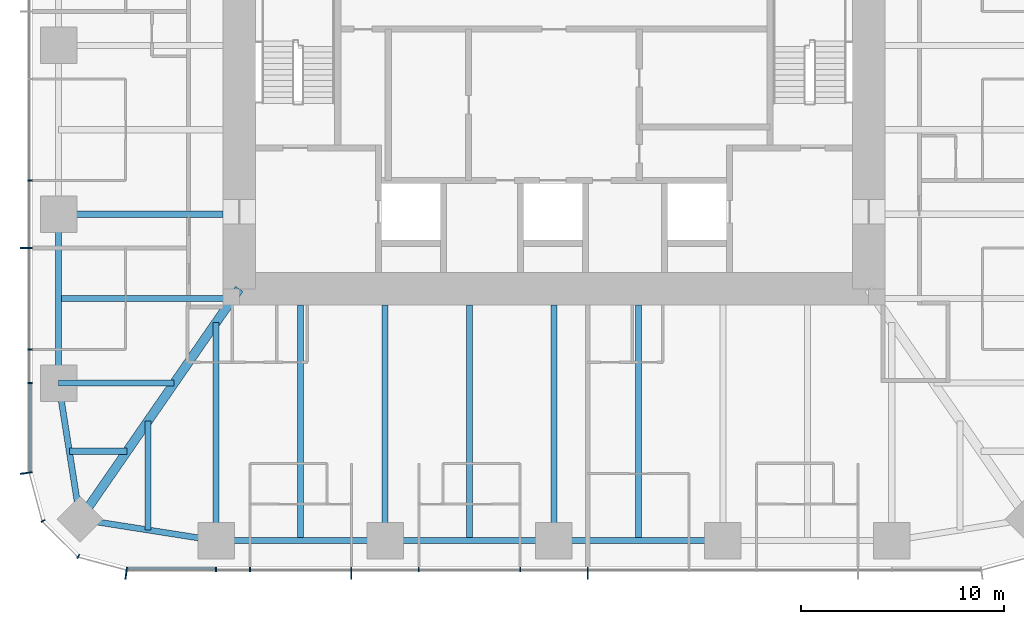
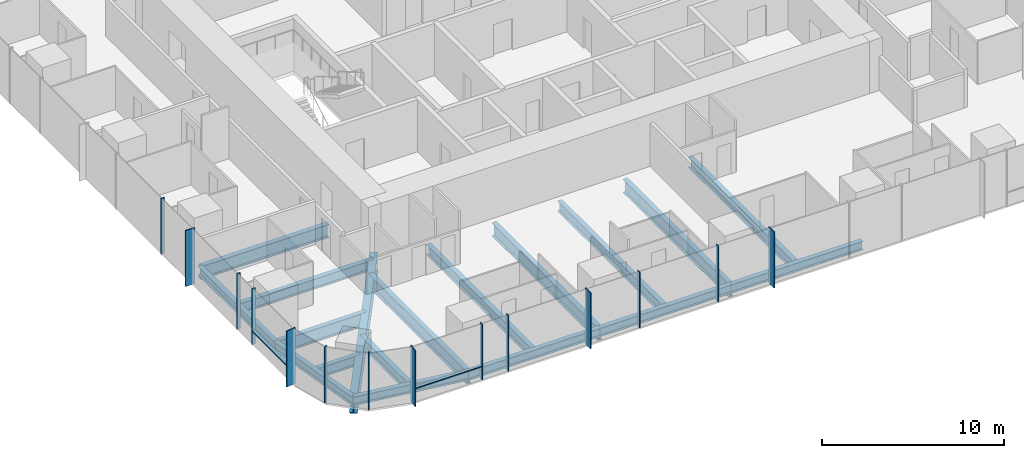
# One storey, part 2 of 13: 18 beams, 16 members, 3 elements without a shape of their own.
"""IFC4 building model written with IfcOpenShell, lengths in metres."""

from ifc_helpers import new_model, si_unit, direction, frame, origin, origin_2d, place, context, subcontext, project, spatial, rectangle, i_section, extrude, material, material_profile, profile_set, type_object, element, aggregate, save


model = new_model("IFC4")

# Units and contexts
model_context = context("Model", 3, precision=1e-05, world=origin(), true_north=direction((0.0, 1.0)))
body_context = subcontext(model_context, "Body", "Model", "MODEL_VIEW")
ifc_project = project(units=[si_unit("LENGTHUNIT", "METRE"), si_unit("AREAUNIT", "SQUARE_METRE"), si_unit("VOLUMEUNIT", "CUBIC_METRE"), si_unit("PLANEANGLEUNIT", "RADIAN"), si_unit("MASSUNIT", "GRAM", prefix="KILO")], contexts=[model_context])

# Site, building, storey
site_placement = place(None, origin())
site = spatial("IfcSite", under=ifc_project, at=site_placement, CompositionType="ELEMENT")
building_placement = place(site_placement, origin())
building = spatial("IfcBuilding", under=site, at=building_placement, Name="Khuree Lantern Residences", CompositionType="ELEMENT")
storey_placement = place(building_placement, frame((0.0, 0.0, 252.0)))
storey = spatial("IfcBuildingStorey", under=building, at=storey_placement, Name="L63", CompositionType="ELEMENT", Elevation=252.0)

# Beams
ifc_material_1 = material(Name="Steel S355", Category="steel")
ifc_material_profile_1 = material_profile(ifc_material_1, i_section(OverallWidth=0.300048828125, OverallDepth=0.68994140625, WebThickness=0.014404296875, FlangeThickness=0.027099609375, FilletRadius=0.027099609375, at=origin_2d()), Name="HE 700 A")
ifc_profile_set_1 = profile_set([ifc_material_profile_1], Name="Steel S355")
beam_type_1 = type_object("IfcBeamType", Name="B-34 SECONDARY BEAM HE 700 A", PredefinedType="BEAM", material=ifc_profile_set_1)
for number, where, z_axis, x_axis, name in (
    (1, (4.159912109375, -24.39990234375, -0.594970703125), (0.0, 1.0, 0.0), (-1.0, 0.0, 0.0), "Secondary beam S3"),
    (2, (-4.159912109375, -24.39990234375, -0.594970703125), (0.0, 1.0, 0.0), (-1.0, 0.0, 0.0), "Secondary beam S4"),
    (3, (-12.47998046875, -24.39990234375, -0.594970703125), (0.0, 1.0, 0.0), (-1.0, 0.0, 0.0), "Secondary beam S5"),
):
    element("IfcBeam", number, at=place(storey_placement, frame(where, z_axis=z_axis, x_axis=x_axis)), inside=storey, type_object=beam_type_1, Name=name, PredefinedType="BEAM", context=body_context, shape_type="SweptSolid", body=[
        extrude(i_section(OverallWidth=0.300048828125, OverallDepth=0.68994140625, WebThickness=0.014404296875, FlangeThickness=0.027099609375, FilletRadius=0.027099609375, at=origin_2d()), origin(), (0.0, 0.0, 1.0), 11.599853515625),
    ])
beam_1_placement = place(storey_placement, frame((-19.992919921875, -23.872802734375, -0.594970703125), z_axis=(0.0, 1.0, 0.0), x_axis=(-1.0, 0.0, 0.0)))
element("IfcBeam", 4, at=beam_1_placement, inside=storey, type_object=beam_type_1, Name="Secondary beam S6", PredefinedType="BEAM", context=body_context, shape_type="SweptSolid", body=[
    extrude(i_section(OverallWidth=0.300048828125, OverallDepth=0.68994140625, WebThickness=0.014404296875, FlangeThickness=0.027099609375, FilletRadius=0.027099609375, at=origin_2d()), origin(), (0.0, 0.0, 1.0), 5.375732421875),
])
beam_2_placement = place(storey_placement, frame((-23.872802734375, -19.992919921875, -0.594970703125), z_axis=(1.0, 0.0, 0.0), x_axis=(0.0, 1.0, 0.0)))
element("IfcBeam", 5, at=beam_2_placement, inside=storey, type_object=beam_type_1, Name="Secondary beam W1", PredefinedType="BEAM", context=body_context, shape_type="SweptSolid", body=[
    extrude(i_section(OverallWidth=0.300048828125, OverallDepth=0.68994140625, WebThickness=0.014404296875, FlangeThickness=0.027099609375, FilletRadius=0.027099609375, at=origin_2d()), origin(), (0.0, 0.0, 1.0), 2.845703125),
])
beam_3_placement = place(storey_placement, frame((-24.39990234375, -12.47998046875, -0.594970703125), z_axis=(1.0, 0.0, 0.0), x_axis=(0.0, 1.0, 0.0)))
element("IfcBeam", 6, at=beam_3_placement, inside=storey, type_object=beam_type_1, Name="Secondary beam W2", PredefinedType="BEAM", context=body_context, shape_type="SweptSolid", body=[
    extrude(i_section(OverallWidth=0.300048828125, OverallDepth=0.68994140625, WebThickness=0.014404296875, FlangeThickness=0.027099609375, FilletRadius=0.027099609375, at=origin_2d()), origin(), (0.0, 0.0, 1.0), 8.56787109375),
])
ifc_material_profile_2 = material_profile(ifc_material_1, i_section(OverallWidth=0.300048828125, OverallDepth=0.590087890625, WebThickness=0.012939453125, FlangeThickness=0.02490234375, FilletRadius=0.027099609375, at=origin_2d()), Name="HE 600 A")
ifc_profile_set_2 = profile_set([ifc_material_profile_2], Name="Steel S355")
beam_type_2 = type_object("IfcBeamType", Name="E-34 SPANDREL BEAM HE 600 A", PredefinedType="SPANDREL", material=ifc_profile_set_2)
for number, where, z_axis, x_axis, name in (
    (7, (8.320068359375, -24.39990234375, -0.544921875), (-1.0, 0.0, 0.0), (0.0, -1.0, 0.0), "Spandrel beam S3"),
    (8, (0.0, -24.39990234375, -0.544921875), (-1.0, 0.0, 0.0), (0.0, -1.0, 0.0), "Spandrel beam S4"),
):
    element("IfcBeam", number, at=place(storey_placement, frame(where, z_axis=z_axis, x_axis=x_axis)), inside=storey, type_object=beam_type_2, Name=name, PredefinedType="SPANDREL", context=body_context, shape_type="SweptSolid", body=[
        extrude(i_section(OverallWidth=0.300048828125, OverallDepth=0.590087890625, WebThickness=0.012939453125, FlangeThickness=0.02490234375, FilletRadius=0.027099609375, at=origin_2d()), origin(), (0.0, 0.0, 1.0), 8.320068359375),
    ])
beam_4_placement = place(storey_placement, frame((-8.320068359375, -24.39990234375, -0.544921875), z_axis=(-1.0, 0.0, 0.0), x_axis=(0.0, -1.0, 0.0)))
element("IfcBeam", 9, at=beam_4_placement, inside=storey, type_object=beam_type_2, Name="Spandrel beam S5", PredefinedType="SPANDREL", context=body_context, shape_type="SweptSolid", body=[
    extrude(i_section(OverallWidth=0.300048828125, OverallDepth=0.590087890625, WebThickness=0.012939453125, FlangeThickness=0.02490234375, FilletRadius=0.027099609375, at=origin_2d()), origin(), (0.0, 0.0, 1.0), 8.31982421875),
])
for number, where, z_axis, x_axis, name in (
    (10, (-16.639892578125, -24.39990234375, -0.544921875), (-0.98786743189, 0.155299507442, 0.0), (-0.155299507442, -0.98786743189, 0.0), "Spandrel beam S6"),
    (11, (-23.345703125, -23.345703125, -0.544921875), (-0.155299507442, 0.98786743189, 0.0), (-0.98786743189, -0.155299507442, 0.0), "Spandrel beam W1"),
):
    element("IfcBeam", number, at=place(storey_placement, frame(where, z_axis=z_axis, x_axis=x_axis)), inside=storey, type_object=beam_type_2, Name=name, PredefinedType="SPANDREL", context=body_context, shape_type="SweptSolid", body=[
        extrude(i_section(OverallWidth=0.300048828125, OverallDepth=0.590087890625, WebThickness=0.012939453125, FlangeThickness=0.02490234375, FilletRadius=0.027099609375, at=origin_2d()), origin(), (0.0, 0.0, 1.0), 6.7880859375),
    ])
beam_5_placement = place(storey_placement, frame((-24.39990234375, -16.639892578125, -0.544921875), z_axis=(0.0, 1.0, 0.0), x_axis=(-1.0, 0.0, 0.0)))
element("IfcBeam", 12, at=beam_5_placement, inside=storey, type_object=beam_type_2, Name="Spandrel beam W2", PredefinedType="SPANDREL", context=body_context, shape_type="SweptSolid", body=[
    extrude(i_section(OverallWidth=0.300048828125, OverallDepth=0.590087890625, WebThickness=0.012939453125, FlangeThickness=0.02490234375, FilletRadius=0.027099609375, at=origin_2d()), origin(), (0.0, 0.0, 1.0), 8.31982421875),
])

# Curtain wall, member
ifc_material_2 = material(Name="Bronze anodised aluminium", Category="aluminium")
curtain_wall_type_1 = type_object("IfcCurtainWallType", Name="CW-T1 TOWER FACE CURTAIN WALL", PredefinedType="USERDEFINED", material=ifc_material_2)
curtain_wall_1_placement = place(storey_placement, origin())
curtain_wall_1 = element("IfcCurtainWall", 13, at=curtain_wall_1_placement, inside=storey, type_object=curtain_wall_type_1, Name="L63 WEST FACE CURTAIN WALL", ObjectType="Stick-built curtain wall", PredefinedType="USERDEFINED")
ifc_material_profile_3 = material_profile(ifc_material_2, rectangle(XDim=0.06494140625, YDim=0.60009765625, at=origin_2d()), Name="F1 65X600")
ifc_profile_set_3 = profile_set([ifc_material_profile_3], Name="Bronze anodised aluminium")
member_type_1 = type_object("IfcMemberType", Name="F1 BRONZE FIN MULLION TOWER 65X600", PredefinedType="MULLION", material=ifc_profile_set_3)
member_1_placement = place(storey_placement, frame((-26.0, -9.98388671875, 0.0), z_axis=(0.0, 0.0, 1.0), x_axis=(0.0, -1.0, 0.0)))
member_1 = element("IfcMember", 14, at=member_1_placement, type_object=member_type_1, Name="L63 WEST FACE FIN MULLION 40", PredefinedType="MULLION", context=body_context, shape_type="SweptSolid", body=[
    extrude(rectangle(XDim=0.06494140625, YDim=0.60009765625, at=origin_2d()), origin(), (0.0, 0.0, 1.0), 3.75),
])

curtain_wall_type_2 = type_object("IfcCurtainWallType", Name="CW-T2 TOWER CORNER CURTAIN WALL", PredefinedType="USERDEFINED", material=ifc_material_2)
curtain_wall_2_placement = place(storey_placement, origin())
curtain_wall_2 = element("IfcCurtainWall", 15, at=curtain_wall_2_placement, inside=storey, type_object=curtain_wall_type_2, Name="L63 SOUTH-WEST CORNER CURTAIN WALL", ObjectType="Faceted corner curtain wall", PredefinedType="USERDEFINED")
member_2_placement = place(storey_placement, frame((-26.0, -21.06982421875, 0.0), z_axis=(0.0, 0.0, 1.0), x_axis=(0.130526180298, -0.991444862943, 0.0)))
member_2 = element("IfcMember", 16, at=member_2_placement, type_object=member_type_1, Name="L63 SOUTH-WEST CORNER FIN MULLION 43", PredefinedType="MULLION", context=body_context, shape_type="SweptSolid", body=[
    extrude(rectangle(XDim=0.06494140625, YDim=0.60009765625, at=origin_2d()), origin(), (0.0, 0.0, 1.0), 3.75),
])

# Curtain wall, members
curtain_wall_3_placement = place(storey_placement, origin())
curtain_wall_3 = element("IfcCurtainWall", 17, at=curtain_wall_3_placement, inside=storey, type_object=curtain_wall_type_1, Name="L63 SOUTH FACE CURTAIN WALL", ObjectType="Stick-built curtain wall", PredefinedType="USERDEFINED")
member_3_placement = place(storey_placement, frame((-21.06982421875, -26.0, 0.0), z_axis=(0.0, 0.0, 1.0), x_axis=(0.991444862943, -0.130526180298, 0.0)))
member_3 = element("IfcMember", 18, at=member_3_placement, type_object=member_type_1, Name="L63 SOUTH FACE FIN MULLION 46", PredefinedType="MULLION", context=body_context, shape_type="SweptSolid", body=[
    extrude(rectangle(XDim=0.06494140625, YDim=0.60009765625, at=origin_2d()), origin(), (0.0, 0.0, 1.0), 3.75),
])
member_4_placement = place(storey_placement, frame((-9.98388671875, -26.0, 0.0), z_axis=(0.0, 0.0, 1.0), x_axis=(1.0, 0.0, 0.0)))
member_4 = element("IfcMember", 19, at=member_4_placement, type_object=member_type_1, Name="L63 SOUTH FACE FIN MULLION 49", PredefinedType="MULLION", context=body_context, shape_type="SweptSolid", body=[
    extrude(rectangle(XDim=0.06494140625, YDim=0.60009765625, at=origin_2d()), origin(), (0.0, 0.0, 1.0), 3.75),
])
member_5_placement = place(storey_placement, frame((1.6640625, -26.0, 0.0), z_axis=(0.0, 0.0, 1.0), x_axis=(1.0, 0.0, 0.0)))
member_5 = element("IfcMember", 20, at=member_5_placement, type_object=member_type_1, Name="L63 SOUTH FACE FIN MULLION 52", PredefinedType="MULLION", context=body_context, shape_type="SweptSolid", body=[
    extrude(rectangle(XDim=0.06494140625, YDim=0.60009765625, at=origin_2d()), origin(), (0.0, 0.0, 1.0), 3.75),
])

# Beams
ifc_material_profile_4 = material_profile(ifc_material_1, i_section(OverallWidth=0.300048828125, OverallDepth=0.89990234375, WebThickness=0.0185546875, FlangeThickness=0.034912109375, FilletRadius=0.030029296875, at=origin_2d()), Name="HE 900 B")
ifc_profile_set_4 = profile_set([ifc_material_profile_4], Name="Steel S355")
beam_type_3 = type_object("IfcBeamType", Name="G-34 GIRDER HE 900 B", PredefinedType="BEAM", material=ifc_profile_set_4)
for number, where, z_axis, x_axis, name in (
    (21, (0.0, -24.39990234375, -0.699951171875), (0.0, 1.0, 0.0), (-1.0, 0.0, 0.0), "Girder S3"),
    (22, (-8.320068359375, -24.39990234375, -0.699951171875), (0.0, 1.0, 0.0), (-1.0, 0.0, 0.0), "Girder S4"),
):
    element("IfcBeam", number, at=place(storey_placement, frame(where, z_axis=z_axis, x_axis=x_axis)), inside=storey, type_object=beam_type_3, Name=name, PredefinedType="BEAM", context=body_context, shape_type="SweptSolid", body=[
        extrude(i_section(OverallWidth=0.300048828125, OverallDepth=0.89990234375, WebThickness=0.0185546875, FlangeThickness=0.034912109375, FilletRadius=0.030029296875, at=origin_2d()), origin(), (0.0, 0.0, 1.0), 11.599853515625),
    ])
beam_6_placement = place(storey_placement, frame((-16.639892578125, -24.39990234375, -0.699951171875), z_axis=(0.0, 1.0, 0.0), x_axis=(-1.0, 0.0, 0.0)))
element("IfcBeam", 23, at=beam_6_placement, inside=storey, type_object=beam_type_3, Name="Girder S5", PredefinedType="BEAM", context=body_context, shape_type="SweptSolid", body=[
    extrude(i_section(OverallWidth=0.300048828125, OverallDepth=0.89990234375, WebThickness=0.0185546875, FlangeThickness=0.034912109375, FilletRadius=0.030029296875, at=origin_2d()), origin(), (0.0, 0.0, 1.0), 10.751220703125),
])
beam_7_placement = place(storey_placement, frame((-24.39990234375, -16.639892578125, -0.699951171875), z_axis=(1.0, 0.0, 0.0), x_axis=(0.0, 1.0, 0.0)))
element("IfcBeam", 24, at=beam_7_placement, inside=storey, type_object=beam_type_3, Name="Girder W1", PredefinedType="BEAM", context=body_context, shape_type="SweptSolid", body=[
    extrude(i_section(OverallWidth=0.300048828125, OverallDepth=0.89990234375, WebThickness=0.0185546875, FlangeThickness=0.034912109375, FilletRadius=0.030029296875, at=origin_2d()), origin(), (0.0, 0.0, 1.0), 5.69140625),
])
beam_8_placement = place(storey_placement, frame((-24.39990234375, -8.320068359375, -0.699951171875), z_axis=(1.0, 0.0, 0.0), x_axis=(0.0, 1.0, 0.0)))
element("IfcBeam", 25, at=beam_8_placement, inside=storey, type_object=beam_type_3, Name="Girder W2", PredefinedType="BEAM", context=body_context, shape_type="SweptSolid", body=[
    extrude(i_section(OverallWidth=0.300048828125, OverallDepth=0.89990234375, WebThickness=0.0185546875, FlangeThickness=0.034912109375, FilletRadius=0.030029296875, at=origin_2d()), origin(), (0.0, 0.0, 1.0), 8.099853515625),
])
ifc_material_profile_5 = material_profile(ifc_material_1, i_section(OverallWidth=0.449951171875, OverallDepth=1.199951171875, WebThickness=0.02490234375, FlangeThickness=0.044921875, at=origin_2d()), Name="WELDED I 1200X450X25X45")
ifc_profile_set_5 = profile_set([ifc_material_profile_5], Name="Steel S355")
beam_type_4 = type_object("IfcBeamType", Name="GD-34 CORNER GIRDER WELDED I 1200X450X25X45", PredefinedType="BEAM", material=ifc_profile_set_5)
beam_9_placement = place(storey_placement, frame((-23.345703125, -23.345703125, -0.85009765625), z_axis=(0.56876813501, 0.822497907959, 0.0), x_axis=(-0.822497907959, 0.56876813501, 0.0)))
element("IfcBeam", 26, at=beam_9_placement, inside=storey, type_object=beam_type_4, Name="Corner girder SW", PredefinedType="BEAM", context=body_context, shape_type="SweptSolid", body=[
    extrude(i_section(OverallWidth=0.449951171875, OverallDepth=1.199951171875, WebThickness=0.02490234375, FlangeThickness=0.044921875, at=origin_2d()), origin(), (0.0, 0.0, 1.0), 13.794189453125),
])

# Member
ifc_material_profile_6 = material_profile(ifc_material_2, rectangle(XDim=0.06494140625, YDim=0.219970703125, at=origin_2d()), Name="M1 65X220")
ifc_profile_set_6 = profile_set([ifc_material_profile_6], Name="Bronze anodised aluminium")
member_type_2 = type_object("IfcMemberType", Name="M1 BRONZE MULLION TOWER 65X220", PredefinedType="MULLION", material=ifc_profile_set_6)
member_6_placement = place(storey_placement, frame((-25.81005859375, -6.656005859375, 0.0), z_axis=(0.0, 0.0, 1.0), x_axis=(0.0, -1.0, 0.0)))
member_6 = element("IfcMember", 27, at=member_6_placement, type_object=member_type_2, Name="L63 WEST FACE MULLION 39", PredefinedType="MULLION", context=body_context, shape_type="SweptSolid", body=[
    extrude(rectangle(XDim=0.06494140625, YDim=0.219970703125, at=origin_2d()), origin(), (0.0, 0.0, 1.0), 3.75),
])

member_7_placement = place(storey_placement, frame((-25.81005859375, -14.97607421875, 0.0), z_axis=(0.0, 0.0, 1.0), x_axis=(0.0, -1.0, 0.0)))
member_7 = element("IfcMember", 28, at=member_7_placement, type_object=member_type_2, Name="L63 WEST FACE MULLION 41", PredefinedType="MULLION", context=body_context, shape_type="SweptSolid", body=[
    extrude(rectangle(XDim=0.06494140625, YDim=0.219970703125, at=origin_2d()), origin(), (0.0, 0.0, 1.0), 3.75),
])

member_8_placement = place(storey_placement, frame((-25.81005859375, -16.639892578125, 0.0), z_axis=(0.0, 0.0, 1.0), x_axis=(0.0, -1.0, 0.0)))
member_8 = element("IfcMember", 29, at=member_8_placement, type_object=member_type_2, Name="L63 WEST FACE MULLION 42", PredefinedType="MULLION", context=body_context, shape_type="SweptSolid", body=[
    extrude(rectangle(XDim=0.06494140625, YDim=0.219970703125, at=origin_2d()), origin(), (0.0, 0.0, 1.0), 3.75),
])

member_9_placement = place(storey_placement, frame((-25.17236328125, -23.429931640625, 0.0), z_axis=(0.0, 0.0, 1.0), x_axis=(0.499999989586, -0.866025409797, 0.0)))
member_9 = element("IfcMember", 30, at=member_9_placement, type_object=member_type_2, Name="L63 SOUTH-WEST CORNER MULLION 44", PredefinedType="MULLION", context=body_context, shape_type="SweptSolid", body=[
    extrude(rectangle(XDim=0.06494140625, YDim=0.219970703125, at=origin_2d()), origin(), (0.0, 0.0, 1.0), 3.75),
])

member_10_placement = place(storey_placement, frame((-23.429931640625, -25.17236328125, 0.0), z_axis=(0.0, 0.0, 1.0), x_axis=(0.866025409797, -0.499999989586, 0.0)))
member_10 = element("IfcMember", 31, at=member_10_placement, type_object=member_type_2, Name="L63 SOUTH-WEST CORNER MULLION 45", PredefinedType="MULLION", context=body_context, shape_type="SweptSolid", body=[
    extrude(rectangle(XDim=0.06494140625, YDim=0.219970703125, at=origin_2d()), origin(), (0.0, 0.0, 1.0), 3.75),
])

aggregate(curtain_wall_2, [member_2, member_9, member_10])

member_11_placement = place(storey_placement, frame((-16.639892578125, -25.81005859375, 0.0), z_axis=(0.0, 0.0, 1.0), x_axis=(1.0, 0.0, 0.0)))
member_11 = element("IfcMember", 32, at=member_11_placement, type_object=member_type_2, Name="L63 SOUTH FACE MULLION 47", PredefinedType="MULLION", context=body_context, shape_type="SweptSolid", body=[
    extrude(rectangle(XDim=0.06494140625, YDim=0.219970703125, at=origin_2d()), origin(), (0.0, 0.0, 1.0), 3.75),
])

member_12_placement = place(storey_placement, frame((-14.97607421875, -25.81005859375, 0.0), z_axis=(0.0, 0.0, 1.0), x_axis=(1.0, 0.0, 0.0)))
member_12 = element("IfcMember", 33, at=member_12_placement, type_object=member_type_2, Name="L63 SOUTH FACE MULLION 48", PredefinedType="MULLION", context=body_context, shape_type="SweptSolid", body=[
    extrude(rectangle(XDim=0.06494140625, YDim=0.219970703125, at=origin_2d()), origin(), (0.0, 0.0, 1.0), 3.75),
])

member_13_placement = place(storey_placement, frame((-6.656005859375, -25.81005859375, 0.0), z_axis=(0.0, 0.0, 1.0), x_axis=(1.0, 0.0, 0.0)))
member_13 = element("IfcMember", 34, at=member_13_placement, type_object=member_type_2, Name="L63 SOUTH FACE MULLION 50", PredefinedType="MULLION", context=body_context, shape_type="SweptSolid", body=[
    extrude(rectangle(XDim=0.06494140625, YDim=0.219970703125, at=origin_2d()), origin(), (0.0, 0.0, 1.0), 3.75),
])

member_14_placement = place(storey_placement, frame((-1.6640625, -25.81005859375, 0.0), z_axis=(0.0, 0.0, 1.0), x_axis=(1.0, 0.0, 0.0)))
member_14 = element("IfcMember", 35, at=member_14_placement, type_object=member_type_2, Name="L63 SOUTH FACE MULLION 51", PredefinedType="MULLION", context=body_context, shape_type="SweptSolid", body=[
    extrude(rectangle(XDim=0.06494140625, YDim=0.219970703125, at=origin_2d()), origin(), (0.0, 0.0, 1.0), 3.75),
])

ifc_material_profile_7 = material_profile(ifc_material_2, rectangle(XDim=0.179931640625, YDim=0.06494140625, at=origin_2d()), Name="T1 180X65")
ifc_profile_set_7 = profile_set([ifc_material_profile_7], Name="Bronze anodised aluminium")
member_type_3 = type_object("IfcMemberType", Name="TRANSOM T1 TOWER 180X65", PredefinedType="USERDEFINED", material=ifc_profile_set_7)
member_15_placement = place(storey_placement, frame((-25.820068359375, -16.672607421875, 0.89990234375), z_axis=(0.0, -1.0, 0.0), x_axis=(1.0, 0.0, 0.0)))
member_15 = element("IfcMember", 36, at=member_15_placement, type_object=member_type_3, Name="L63 WEST FACE TRANSOM 42.1", ObjectType="Transom", PredefinedType="USERDEFINED", context=body_context, shape_type="SweptSolid", body=[
    extrude(rectangle(XDim=0.179931640625, YDim=0.06494140625, at=origin_2d()), origin(), (0.0, 0.0, 1.0), 4.328857421875),
])

aggregate(curtain_wall_1, [member_6, member_1, member_7, member_8, member_15])

member_16_placement = place(storey_placement, frame((-21.00146484375, -25.820068359375, 0.89990234375), z_axis=(1.0, 0.0, 0.0), x_axis=(0.0, 1.0, 0.0)))
member_16 = element("IfcMember", 37, at=member_16_placement, type_object=member_type_3, Name="L63 SOUTH FACE TRANSOM 46.1", ObjectType="Transom", PredefinedType="USERDEFINED", context=body_context, shape_type="SweptSolid", body=[
    extrude(rectangle(XDim=0.179931640625, YDim=0.06494140625, at=origin_2d()), origin(), (0.0, 0.0, 1.0), 4.328857421875),
])

aggregate(curtain_wall_3, [member_3, member_11, member_12, member_4, member_13, member_14, member_5, member_16])

save(model, "model.ifc")
